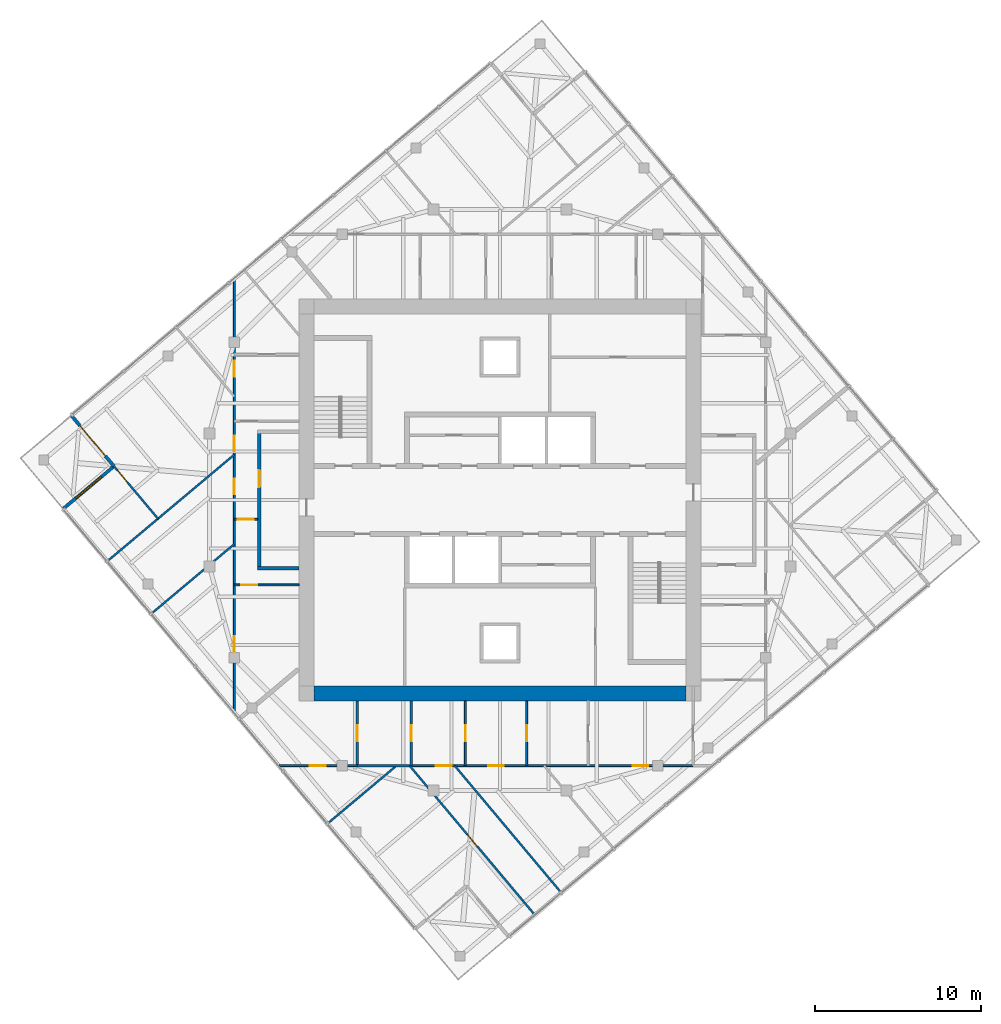
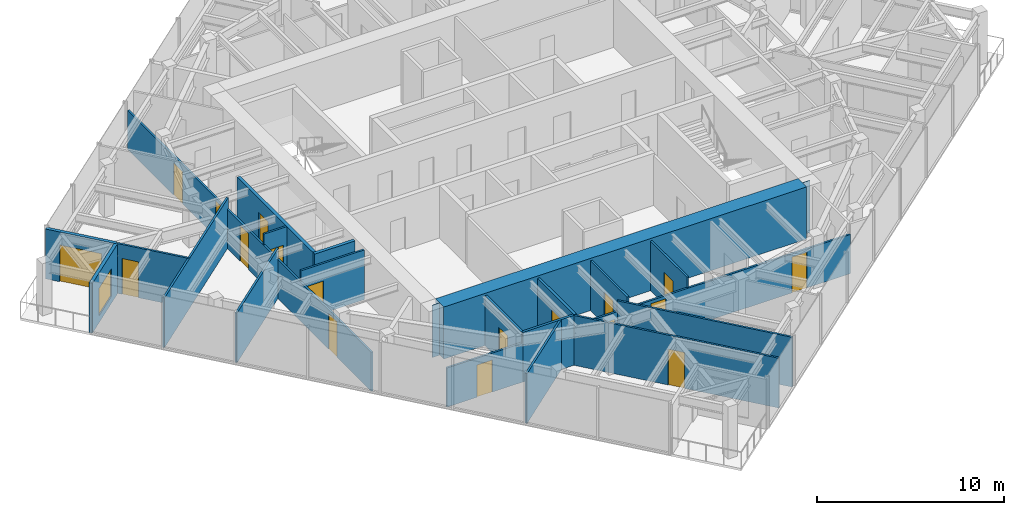
# One storey, part 7 of 12: 21 walls, 18 doors, 1 window, 19 openings.
"""IFC4 building model written with IfcOpenShell, lengths in metres."""

from ifc_helpers import new_model, si_unit, direction, frame, frame_2d, origin, place, context, subcontext, project, spatial, polyline, rectangle, outline, extrude, material, layer, layer_set, type_object, element, fill, save


model = new_model("IFC4")

# Units and contexts
model_context = context("Model", 3, precision=1e-05, world=origin(), true_north=direction((0.0, 1.0)))
body_context = subcontext(model_context, "Body", "Model", "MODEL_VIEW")
ifc_project = project(units=[si_unit("LENGTHUNIT", "METRE"), si_unit("AREAUNIT", "SQUARE_METRE"), si_unit("VOLUMEUNIT", "CUBIC_METRE"), si_unit("PLANEANGLEUNIT", "RADIAN"), si_unit("MASSUNIT", "GRAM", prefix="KILO")], contexts=[model_context])

# Site, building, storey
site_placement = place(None, origin())
site = spatial("IfcSite", under=ifc_project, at=site_placement, CompositionType="ELEMENT")
building_placement = place(site_placement, origin())
building = spatial("IfcBuilding", under=site, at=building_placement, Name="Torsade Residences", CompositionType="ELEMENT")
storey_placement = place(building_placement, frame((0.0, 0.0, 282.800048828125)))
storey = spatial("IfcBuildingStorey", under=building, at=storey_placement, Name="L78", CompositionType="ELEMENT", Elevation=282.800048828125)

# Wall
ifc_material_1 = material(Name="Concrete 80 MPa", Category="concrete")
ifc_layer_1 = layer(ifc_material_1, 0.89990234375)
ifc_layer_set_1 = layer_set([ifc_layer_1], Name="Concrete 80 MPa")
wall_type_1 = type_object("IfcWallType", Name="CORE WALL 900", PredefinedType="SHEAR", material=ifc_layer_set_1)
wall_1_placement = place(storey_placement, frame((51.199951171875, 18.35009765625, 0.0), z_axis=(0.0, 0.0, 1.0), x_axis=(-1.0, 0.0, 0.0)))
element("IfcWall", 1, at=wall_1_placement, inside=storey, type_object=wall_type_1, Name="Core wall S L78", PredefinedType="SHEAR", context=body_context, shape_type="SweptSolid", body=[
    extrude(outline(polyline([(0.0, -0.449951171875), (22.39990234375, -0.449951171875), (22.39990234375, -0.02490234375), (22.849853515625, -0.02490234375), (22.849853515625, 0.02490234375), (22.39990234375, 0.02490234375), (22.39990234375, 0.449951171875), (0.0, 0.449951171875), (0.0, 0.02490234375), (-0.449951171875, 0.02490234375), (-0.449951171875, -0.02490234375), (0.0, -0.02490234375), (0.0, -0.449951171875)])), origin(), (0.0, 0.0, 1.0), 3.39990234375),
])

# Wall, opening, door
ifc_material_2 = material(Name="Plasterboard on steel stud", Category="steel")
ifc_layer_2 = layer(ifc_material_2, 0.199951171875)
ifc_layer_set_2 = layer_set([ifc_layer_2], Name="Plasterboard on steel stud")
wall_type_2 = type_object("IfcWallType", Name="CORRIDOR WALL 200", PredefinedType="PARTITIONING", material=ifc_layer_set_2)
wall_2_placement = place(storey_placement, frame((25.5, 25.89990234375, 0.0), z_axis=(0.0, 0.0, 1.0), x_axis=(0.0, 1.0, 0.0)))
wall_2 = element("IfcWall", 2, at=wall_2_placement, inside=storey, type_object=wall_type_2, Name="Corridor wall L78", PredefinedType="PARTITIONING", context=body_context, shape_type="SweptSolid", body=[
    extrude(rectangle(XDim=8.2001953125, YDim=0.199951171875, at=frame_2d((4.10009765625, 0.0))), origin(), (0.0, 0.0, 1.0), 3.25),
])
opening_1_placement = place(wall_2_placement, frame((4.88232421875, 0.0, 0.0)))
opening_1 = element("IfcOpeningElement", 3, at=opening_1_placement, cuts=wall_2, Name="Opening D01", PredefinedType="OPENING", context=body_context, shape_type="SweptSolid", body=[
    extrude(rectangle(XDim=1.02001953125, YDim=2.340087890625, at=frame_2d((0.510009765625, 1.169921875))), frame((0.0, 0.10986328125, 0.0), z_axis=(0.0, -1.0, 0.0), x_axis=(1.0, 0.0, 0.0)), (0.0, 0.0, 1.0), 0.219970703125),
])
ifc_material_3 = material(Name="Solid-core timber fire door", Category="wood")
door_type_1 = type_object("IfcDoorType", Name="APARTMENT ENTRY DOOR 1020x2340", OperationType="NOTDEFINED", PredefinedType="DOOR", material=ifc_material_3)
door_1_placement = place(opening_1_placement, origin())
door_1 = element("IfcDoor", 4, at=door_1_placement, inside=storey, type_object=door_type_1, Name="Door Residential corridor to Kitchen and dining", OperationType="SINGLE_SWING_LEFT", OverallHeight=2.340087890625, OverallWidth=1.02001953125, PredefinedType="DOOR", context=body_context, shape_type="SweptSolid", body=[
    extrude(rectangle(XDim=1.02001953125, YDim=2.340087890625, at=frame_2d((0.510009765625, 1.169921875))), frame((0.0, 0.02490234375, 0.0), z_axis=(0.0, -1.0, 0.0), x_axis=(1.0, 0.0, 0.0)), (0.0, 0.0, 1.0), 0.050048828125),
])
fill(opening_1, door_1)

# Wall
wall_3_placement = place(storey_placement, frame((27.89990234375, 25.89990234375, 0.0), z_axis=(0.0, 0.0, 1.0), x_axis=(-1.0, 0.0, 0.0)))
element("IfcWall", 5, at=wall_3_placement, inside=storey, type_object=wall_type_2, Name="Corridor wall L78", PredefinedType="PARTITIONING", context=body_context, shape_type="SweptSolid", body=[
    extrude(rectangle(XDim=2.5, YDim=0.199951171875, at=frame_2d((1.25, 0.0))), origin(), (0.0, 0.0, 1.0), 3.25),
])

# Wall, opening, door
ifc_material_4 = material(Name="Plasterboard on steel stud", Category="steel")
ifc_layer_3 = layer(ifc_material_4, 0.1201171875)
ifc_layer_set_3 = layer_set([ifc_layer_3], Name="Plasterboard on steel stud")
wall_type_3 = type_object("IfcWallType", Name="PARTITION 120", PredefinedType="PARTITIONING", material=ifc_layer_set_3)
wall_4_placement = place(storey_placement, frame((31.410400390625, 14.0, 0.0), z_axis=(0.0, 0.0, 1.0), x_axis=(-1.0, 0.0, 0.0)))
wall_4 = element("IfcWall", 6, at=wall_4_placement, inside=storey, type_object=wall_type_3, Name="Partition L78", PredefinedType="PARTITIONING", context=body_context, shape_type="SweptSolid", body=[
    extrude(rectangle(XDim=4.693359375, YDim=0.1201171875, at=frame_2d((2.3466796875, 0.0))), origin(), (0.0, 0.0, 1.0), 2.549072265625),
])
opening_2_placement = place(wall_4_placement, frame((1.892822265625, 0.0, 0.0)))
opening_2 = element("IfcOpeningElement", 7, at=opening_2_placement, cuts=wall_4, Name="Opening D05", PredefinedType="OPENING", context=body_context, shape_type="SweptSolid", body=[
    extrude(rectangle(XDim=0.9599609375, YDim=2.10009765625, at=frame_2d((0.47998046875, 1.050048828125))), frame((0.0, 0.070068359375, 0.0), z_axis=(0.0, -1.0, 0.0), x_axis=(1.0, 0.0, 0.0)), (0.0, 0.0, 1.0), 0.14013671875),
])
ifc_material_5 = material(Name="Hollow-core timber door in a steel cavity frame", Category="steel")
door_type_2 = type_object("IfcDoorType", Name="BATHROOM CAVITY SLIDING DOOR 960", OperationType="SLIDING_TO_LEFT", PredefinedType="DOOR", material=ifc_material_5)
door_2_placement = place(opening_2_placement, origin())
door_2 = element("IfcDoor", 8, at=door_2_placement, inside=storey, type_object=door_type_2, Name="Door Bathroom to Media room", OperationType="SLIDING_TO_LEFT", OverallHeight=2.10009765625, OverallWidth=0.9599609375, PredefinedType="DOOR", context=body_context, shape_type="SweptSolid", body=[
    extrude(rectangle(XDim=0.9599609375, YDim=2.10009765625, at=frame_2d((0.47998046875, 1.050048828125))), frame((0.0, 0.02490234375, 0.0), z_axis=(0.0, -1.0, 0.0), x_axis=(1.0, 0.0, 0.0)), (0.0, 0.0, 1.0), 0.050048828125),
])
fill(opening_2, door_2)

wall_5_placement = place(storey_placement, frame((37.9189453125, 17.89990234375, 0.0), z_axis=(0.0, 0.0, 1.0), x_axis=(0.0, -1.0, 0.0)))
wall_5 = element("IfcWall", 9, at=wall_5_placement, inside=storey, type_object=wall_type_3, Name="Partition L78", PredefinedType="PARTITIONING", context=body_context, shape_type="SweptSolid", body=[
    extrude(rectangle(XDim=3.89990234375, YDim=0.1201171875, at=frame_2d((1.949951171875, 0.0))), origin(), (0.0, 0.0, 1.0), 3.25),
])
opening_3_placement = place(wall_5_placement, frame((1.469970703125, 0.0, 0.0)))
opening_3 = element("IfcOpeningElement", 10, at=opening_3_placement, cuts=wall_5, Name="Opening D05", PredefinedType="OPENING", context=body_context, shape_type="SweptSolid", body=[
    extrude(rectangle(XDim=0.9599609375, YDim=2.10009765625, at=frame_2d((0.47998046875, 1.050048828125))), frame((0.0, 0.070068359375, 0.0), z_axis=(0.0, -1.0, 0.0), x_axis=(1.0, 0.0, 0.0)), (0.0, 0.0, 1.0), 0.14013671875),
])
door_3_placement = place(opening_3_placement, origin())
door_3 = element("IfcDoor", 11, at=door_3_placement, inside=storey, type_object=door_type_2, Name="Door Dressing room 2 to WC", OperationType="SLIDING_TO_LEFT", OverallHeight=2.10009765625, OverallWidth=0.9599609375, PredefinedType="DOOR", context=body_context, shape_type="SweptSolid", body=[
    extrude(rectangle(XDim=0.9599609375, YDim=2.10009765625, at=frame_2d((0.47998046875, 1.050048828125))), frame((0.0, 0.02490234375, 0.0), z_axis=(0.0, -1.0, 0.0), x_axis=(1.0, 0.0, 0.0)), (0.0, 0.0, 1.0), 0.050048828125),
])
fill(opening_3, door_3)

# Wall, openings, doors
wall_6_placement = place(storey_placement, frame((51.624755859375, 14.0, 0.0), z_axis=(0.0, 0.0, 1.0), x_axis=(-1.0, 0.0, 0.0)))
wall_6 = element("IfcWall", 12, at=wall_6_placement, inside=storey, type_object=wall_type_3, Name="Partition L78", PredefinedType="PARTITIONING", context=body_context, shape_type="SweptSolid", body=[
    extrude(rectangle(XDim=17.06689453125, YDim=0.1201171875, at=frame_2d((8.533447265625, 0.0))), origin(), (0.0, 0.0, 1.0), 2.549072265625),
])
opening_4_placement = place(wall_6_placement, frame((2.701904296875, 0.0, 0.0)))
opening_4 = element("IfcOpeningElement", 13, at=opening_4_placement, cuts=wall_6, Name="Opening D02", PredefinedType="OPENING", context=body_context, shape_type="SweptSolid", body=[
    extrude(rectangle(XDim=0.919921875, YDim=2.340087890625, at=frame_2d((0.4599609375, 1.169921875))), frame((0.0, 0.070068359375, 0.0), z_axis=(0.0, -1.0, 0.0), x_axis=(1.0, 0.0, 0.0)), (0.0, 0.0, 1.0), 0.14013671875),
])
opening_5_placement = place(wall_6_placement, frame((11.400146484375, 0.0, 0.0)))
opening_5 = element("IfcOpeningElement", 14, at=opening_5_placement, cuts=wall_6, Name="Opening D02", PredefinedType="OPENING", context=body_context, shape_type="SweptSolid", body=[
    extrude(rectangle(XDim=0.919921875, YDim=2.340087890625, at=frame_2d((0.4599609375, 1.169921875))), frame((0.0, 0.070068359375, 0.0), z_axis=(0.0, -1.0, 0.0), x_axis=(1.0, 0.0, 0.0)), (0.0, 0.0, 1.0), 0.14013671875),
])
opening_6_placement = place(wall_6_placement, frame((14.544189453125, 0.0, 0.0)))
opening_6 = element("IfcOpeningElement", 15, at=opening_6_placement, cuts=wall_6, Name="Opening D05", PredefinedType="OPENING", context=body_context, shape_type="SweptSolid", body=[
    extrude(rectangle(XDim=0.9599609375, YDim=2.10009765625, at=frame_2d((0.47998046875, 1.050048828125))), frame((0.0, 0.070068359375, 0.0), z_axis=(0.0, -1.0, 0.0), x_axis=(1.0, 0.0, 0.0)), (0.0, 0.0, 1.0), 0.14013671875),
])
door_4_placement = place(opening_6_placement, origin())
door_4 = element("IfcDoor", 16, at=door_4_placement, inside=storey, type_object=door_type_2, Name="Door WC to Walk-in robe 2", OperationType="SLIDING_TO_LEFT", OverallHeight=2.10009765625, OverallWidth=0.9599609375, PredefinedType="DOOR", context=body_context, shape_type="SweptSolid", body=[
    extrude(rectangle(XDim=0.9599609375, YDim=2.10009765625, at=frame_2d((0.47998046875, 1.050048828125))), frame((0.0, 0.02490234375, 0.0), z_axis=(0.0, -1.0, 0.0), x_axis=(1.0, 0.0, 0.0)), (0.0, 0.0, 1.0), 0.050048828125),
])
fill(opening_6, door_4)
ifc_material_6 = material(Name="Hollow-core timber door", Category="wood")
door_type_3 = type_object("IfcDoorType", Name="INTERNAL DOOR 920x2340", OperationType="NOTDEFINED", PredefinedType="DOOR", material=ifc_material_6)
door_5_placement = place(opening_4_placement, origin())
door_5 = element("IfcDoor", 17, at=door_5_placement, inside=storey, type_object=door_type_3, Name="Door Walk-in robe to Bedroom 5", OperationType="SINGLE_SWING_LEFT", OverallHeight=2.340087890625, OverallWidth=0.919921875, PredefinedType="DOOR", context=body_context, shape_type="SweptSolid", body=[
    extrude(rectangle(XDim=0.919921875, YDim=2.340087890625, at=frame_2d((0.4599609375, 1.169921875))), frame((0.0, 0.02490234375, 0.0), z_axis=(0.0, -1.0, 0.0), x_axis=(1.0, 0.0, 0.0)), (0.0, 0.0, 1.0), 0.050048828125),
])
fill(opening_4, door_5)
door_6_placement = place(opening_5_placement, origin())
door_6 = element("IfcDoor", 18, at=door_6_placement, inside=storey, type_object=door_type_3, Name="Door Dressing room 2 to Bedroom 1", OperationType="SINGLE_SWING_RIGHT", OverallHeight=2.340087890625, OverallWidth=0.919921875, PredefinedType="DOOR", context=body_context, shape_type="SweptSolid", body=[
    extrude(rectangle(XDim=0.919921875, YDim=2.340087890625, at=frame_2d((0.4599609375, 1.169921875))), frame((0.0, 0.02490234375, 0.0), z_axis=(0.0, -1.0, 0.0), x_axis=(1.0, 0.0, 0.0)), (0.0, 0.0, 1.0), 0.050048828125),
])
fill(opening_5, door_6)

# Wall, opening, door
wall_7_placement = place(storey_placement, frame((41.610107421875, 14.0, 0.0), z_axis=(0.0, 0.0, 1.0), x_axis=(0.0, 1.0, 0.0)))
wall_7 = element("IfcWall", 19, at=wall_7_placement, inside=storey, type_object=wall_type_3, Name="Partition L78", PredefinedType="PARTITIONING", context=body_context, shape_type="SweptSolid", body=[
    extrude(rectangle(XDim=3.89990234375, YDim=0.1201171875, at=frame_2d((1.949951171875, 0.0))), origin(), (0.0, 0.0, 1.0), 3.25),
])
opening_7_placement = place(wall_7_placement, frame((1.469970703125, 0.0, 0.0)))
opening_7 = element("IfcOpeningElement", 20, at=opening_7_placement, cuts=wall_7, Name="Opening D05", PredefinedType="OPENING", context=body_context, shape_type="SweptSolid", body=[
    extrude(rectangle(XDim=0.9599609375, YDim=2.10009765625, at=frame_2d((0.47998046875, 1.050048828125))), frame((0.0, 0.070068359375, 0.0), z_axis=(0.0, -1.0, 0.0), x_axis=(1.0, 0.0, 0.0)), (0.0, 0.0, 1.0), 0.14013671875),
])
door_7_placement = place(opening_7_placement, origin())
door_7 = element("IfcDoor", 21, at=door_7_placement, inside=storey, type_object=door_type_2, Name="Door Ensuite to Dressing room 2", OperationType="SLIDING_TO_LEFT", OverallHeight=2.10009765625, OverallWidth=0.9599609375, PredefinedType="DOOR", context=body_context, shape_type="SweptSolid", body=[
    extrude(rectangle(XDim=0.9599609375, YDim=2.10009765625, at=frame_2d((0.47998046875, 1.050048828125))), frame((0.0, 0.02490234375, 0.0), z_axis=(0.0, -1.0, 0.0), x_axis=(1.0, 0.0, 0.0)), (0.0, 0.0, 1.0), 0.050048828125),
])
fill(opening_7, door_7)

wall_8_placement = place(storey_placement, frame((34.557861328125, 14.0, 0.0), z_axis=(0.0, 0.0, 1.0), x_axis=(0.642782931909, -0.766048368216, 0.0)))
wall_8 = element("IfcWall", 22, at=wall_8_placement, inside=storey, type_object=wall_type_3, Name="Partition L78", PredefinedType="PARTITIONING", context=body_context, shape_type="SweptSolid", body=[
    extrude(rectangle(XDim=11.701416015625, YDim=0.1201171875, at=frame_2d((5.8505859375, 0.0))), origin(), (0.0, 0.0, 1.0), 3.25),
])
opening_8_placement = place(wall_8_placement, frame((5.41064453125, 0.0, 0.0)))
opening_8 = element("IfcOpeningElement", 23, at=opening_8_placement, cuts=wall_8, Name="Opening D02", PredefinedType="OPENING", context=body_context, shape_type="SweptSolid", body=[
    extrude(rectangle(XDim=0.919921875, YDim=2.340087890625, at=frame_2d((0.4599609375, 1.169921875))), frame((0.0, 0.070068359375, 0.0), z_axis=(0.0, -1.0, 0.0), x_axis=(1.0, 0.0, 0.0)), (0.0, 0.0, 1.0), 0.14013671875),
])
door_8_placement = place(opening_8_placement, origin())
door_8 = element("IfcDoor", 24, at=door_8_placement, inside=storey, type_object=door_type_3, Name="Door Walk-in robe 2 to Living room", OperationType="SINGLE_SWING_LEFT", OverallHeight=2.340087890625, OverallWidth=0.919921875, PredefinedType="DOOR", context=body_context, shape_type="SweptSolid", body=[
    extrude(rectangle(XDim=0.919921875, YDim=2.340087890625, at=frame_2d((0.4599609375, 1.169921875))), frame((0.0, 0.02490234375, 0.0), z_axis=(0.0, -1.0, 0.0), x_axis=(1.0, 0.0, 0.0)), (0.0, 0.0, 1.0), 0.050048828125),
])
fill(opening_8, door_8)

# Walls
wall_9_placement = place(storey_placement, frame((29.629638671875, 10.528564453125, 0.0), z_axis=(0.0, 0.0, 1.0), x_axis=(0.766034275706, 0.642799726543, 0.0)))
element("IfcWall", 25, at=wall_9_placement, inside=storey, type_object=wall_type_3, Name="Partition L78", PredefinedType="PARTITIONING", context=body_context, shape_type="SweptSolid", body=[
    extrude(rectangle(XDim=5.400390625, YDim=0.1201171875, at=frame_2d((2.7001953125, 0.0))), origin(), (0.0, 0.0, 1.0), 3.25),
])
wall_10_placement = place(storey_placement, frame((43.671630859375, 6.372314453125, 0.0), z_axis=(0.0, 0.0, 1.0), x_axis=(-0.64278775678, 0.766044319693, 0.0)))
element("IfcWall", 26, at=wall_10_placement, inside=storey, type_object=wall_type_3, Name="Partition L78", PredefinedType="PARTITIONING", context=body_context, shape_type="SweptSolid", body=[
    extrude(rectangle(XDim=9.957275390625, YDim=0.1201171875, at=frame_2d((4.978515625, 0.0))), origin(), (0.0, 0.0, 1.0), 3.25),
])

# Wall, opening, door
wall_11_placement = place(storey_placement, frame((25.39990234375, 28.83447265625, 0.0), z_axis=(0.0, 0.0, 1.0), x_axis=(-1.0, 0.0, 0.0)))
wall_11 = element("IfcWall", 27, at=wall_11_placement, inside=storey, type_object=wall_type_3, Name="Partition L78", PredefinedType="PARTITIONING", context=body_context, shape_type="SweptSolid", body=[
    extrude(rectangle(XDim=1.39990234375, YDim=0.1201171875, at=frame_2d((0.699951171875, 0.0))), origin(), (0.0, 0.0, 1.0), 3.25),
])
opening_9_placement = place(wall_11_placement, frame((0.219970703125, 0.0, 0.0)))
opening_9 = element("IfcOpeningElement", 28, at=opening_9_placement, cuts=wall_11, Name="Opening D05", PredefinedType="OPENING", context=body_context, shape_type="SweptSolid", body=[
    extrude(rectangle(XDim=0.9599609375, YDim=2.10009765625, at=frame_2d((0.47998046875, 1.050048828125))), frame((0.0, 0.070068359375, 0.0), z_axis=(0.0, -1.0, 0.0), x_axis=(1.0, 0.0, 0.0)), (0.0, 0.0, 1.0), 0.14013671875),
])
door_9_placement = place(opening_9_placement, origin())
door_9 = element("IfcDoor", 29, at=door_9_placement, inside=storey, type_object=door_type_2, Name="Door Kitchen and dining to Bathroom", OperationType="SLIDING_TO_LEFT", OverallHeight=2.10009765625, OverallWidth=0.9599609375, PredefinedType="DOOR", context=body_context, shape_type="SweptSolid", body=[
    extrude(rectangle(XDim=0.9599609375, YDim=2.10009765625, at=frame_2d((0.47998046875, 1.050048828125))), frame((0.0, 0.02490234375, 0.0), z_axis=(0.0, -1.0, 0.0), x_axis=(1.0, 0.0, 0.0)), (0.0, 0.0, 1.0), 0.050048828125),
])
fill(opening_9, door_9)

# Wall, openings, doors
wall_12_placement = place(storey_placement, frame((24.0, 17.238037109375, 0.0), z_axis=(0.0, 0.0, 1.0), x_axis=(0.0, 1.0, 0.0)))
wall_12 = element("IfcWall", 30, at=wall_12_placement, inside=storey, type_object=wall_type_3, Name="Partition L78", PredefinedType="PARTITIONING", context=body_context, shape_type="SweptSolid", body=[
    extrude(rectangle(XDim=26.044921875, YDim=0.1201171875, at=frame_2d((13.0224609375, 0.0))), origin(), (0.0, 0.0, 1.0), 2.549072265625),
])
opening_10_placement = place(wall_12_placement, frame((13.116455078125, 0.0, 0.0)))
opening_10 = element("IfcOpeningElement", 31, at=opening_10_placement, cuts=wall_12, Name="Opening D02", PredefinedType="OPENING", context=body_context, shape_type="SweptSolid", body=[
    extrude(rectangle(XDim=0.919921875, YDim=2.340087890625, at=frame_2d((0.4599609375, 1.169921875))), frame((0.0, 0.070068359375, 0.0), z_axis=(0.0, -1.0, 0.0), x_axis=(1.0, 0.0, 0.0)), (0.0, 0.0, 1.0), 0.14013671875),
])
opening_11_placement = place(wall_12_placement, frame((15.705078125, 0.0, 0.0)))
opening_11 = element("IfcOpeningElement", 32, at=opening_11_placement, cuts=wall_12, Name="Opening D02", PredefinedType="OPENING", context=body_context, shape_type="SweptSolid", body=[
    extrude(rectangle(XDim=0.919921875, YDim=2.340087890625, at=frame_2d((0.4599609375, 1.169921875))), frame((0.0, 0.070068359375, 0.0), z_axis=(0.0, -1.0, 0.0), x_axis=(1.0, 0.0, 0.0)), (0.0, 0.0, 1.0), 0.14013671875),
])
opening_12_placement = place(wall_12_placement, frame((20.19091796875, 0.0, 0.0)))
opening_12 = element("IfcOpeningElement", 33, at=opening_12_placement, cuts=wall_12, Name="Opening D05", PredefinedType="OPENING", context=body_context, shape_type="SweptSolid", body=[
    extrude(rectangle(XDim=0.9599609375, YDim=2.10009765625, at=frame_2d((0.47998046875, 1.050048828125))), frame((0.0, 0.070068359375, 0.0), z_axis=(0.0, -1.0, 0.0), x_axis=(1.0, 0.0, 0.0)), (0.0, 0.0, 1.0), 0.14013671875),
])
opening_13_placement = place(wall_12_placement, frame((3.63134765625, 0.0, 0.0)))
opening_13 = element("IfcOpeningElement", 34, at=opening_13_placement, cuts=wall_12, Name="Opening D02", PredefinedType="OPENING", context=body_context, shape_type="SweptSolid", body=[
    extrude(rectangle(XDim=0.919921875, YDim=2.340087890625, at=frame_2d((0.4599609375, 1.169921875))), frame((0.0, 0.070068359375, 0.0), z_axis=(0.0, -1.0, 0.0), x_axis=(1.0, 0.0, 0.0)), (0.0, 0.0, 1.0), 0.14013671875),
])
door_10_placement = place(opening_12_placement, origin())
door_10 = element("IfcDoor", 35, at=door_10_placement, inside=storey, type_object=door_type_2, Name="Door Laundry to Bedroom 4", OperationType="SLIDING_TO_LEFT", OverallHeight=2.10009765625, OverallWidth=0.9599609375, PredefinedType="DOOR", context=body_context, shape_type="SweptSolid", body=[
    extrude(rectangle(XDim=0.9599609375, YDim=2.10009765625, at=frame_2d((0.47998046875, 1.050048828125))), frame((0.0, 0.02490234375, 0.0), z_axis=(0.0, -1.0, 0.0), x_axis=(1.0, 0.0, 0.0)), (0.0, 0.0, 1.0), 0.050048828125),
])
fill(opening_12, door_10)
door_11_placement = place(opening_10_placement, origin())
door_11 = element("IfcDoor", 36, at=door_11_placement, inside=storey, type_object=door_type_3, Name="Door Kitchen and dining to Bedroom 1", OperationType="SINGLE_SWING_RIGHT", OverallHeight=2.340087890625, OverallWidth=0.919921875, PredefinedType="DOOR", context=body_context, shape_type="SweptSolid", body=[
    extrude(rectangle(XDim=0.919921875, YDim=2.340087890625, at=frame_2d((0.4599609375, 1.169921875))), frame((0.0, 0.02490234375, 0.0), z_axis=(0.0, -1.0, 0.0), x_axis=(1.0, 0.0, 0.0)), (0.0, 0.0, 1.0), 0.050048828125),
])
fill(opening_10, door_11)
door_12_placement = place(opening_11_placement, origin())
door_12 = element("IfcDoor", 37, at=door_12_placement, inside=storey, type_object=door_type_3, Name="Door Kitchen and dining to Living room", OperationType="SINGLE_SWING_LEFT", OverallHeight=2.340087890625, OverallWidth=0.919921875, PredefinedType="DOOR", context=body_context, shape_type="SweptSolid", body=[
    extrude(rectangle(XDim=0.919921875, YDim=2.340087890625, at=frame_2d((0.4599609375, 1.169921875))), frame((0.0, 0.02490234375, 0.0), z_axis=(0.0, -1.0, 0.0), x_axis=(1.0, 0.0, 0.0)), (0.0, 0.0, 1.0), 0.050048828125),
])
fill(opening_11, door_12)
door_13_placement = place(opening_13_placement, origin())
door_13 = element("IfcDoor", 38, at=door_13_placement, inside=storey, type_object=door_type_3, Name="Door Study to Bedroom 2", OperationType="SINGLE_SWING_LEFT", OverallHeight=2.340087890625, OverallWidth=0.919921875, PredefinedType="DOOR", context=body_context, shape_type="SweptSolid", body=[
    extrude(rectangle(XDim=0.919921875, YDim=2.340087890625, at=frame_2d((0.4599609375, 1.169921875))), frame((0.0, 0.02490234375, 0.0), z_axis=(0.0, -1.0, 0.0), x_axis=(1.0, 0.0, 0.0)), (0.0, 0.0, 1.0), 0.050048828125),
])
fill(opening_13, door_13)

# Wall, opening, door
wall_13_placement = place(storey_placement, frame((27.89990234375, 24.8828125, 0.0), z_axis=(0.0, 0.0, 1.0), x_axis=(-1.0, 0.0, 0.0)))
wall_13 = element("IfcWall", 39, at=wall_13_placement, inside=storey, type_object=wall_type_3, Name="Partition L78", PredefinedType="PARTITIONING", context=body_context, shape_type="SweptSolid", body=[
    extrude(rectangle(XDim=3.89990234375, YDim=0.1201171875, at=frame_2d((1.949951171875, 0.0))), origin(), (0.0, 0.0, 1.0), 3.25),
])
opening_14_placement = place(wall_13_placement, frame((2.52001953125, 0.0, 0.0)))
opening_14 = element("IfcOpeningElement", 40, at=opening_14_placement, cuts=wall_13, Name="Opening D05", PredefinedType="OPENING", context=body_context, shape_type="SweptSolid", body=[
    extrude(rectangle(XDim=0.9599609375, YDim=2.10009765625, at=frame_2d((0.47998046875, 1.050048828125))), frame((0.0, 0.070068359375, 0.0), z_axis=(0.0, -1.0, 0.0), x_axis=(1.0, 0.0, 0.0)), (0.0, 0.0, 1.0), 0.14013671875),
])
door_14_placement = place(opening_14_placement, origin())
door_14 = element("IfcDoor", 41, at=door_14_placement, inside=storey, type_object=door_type_2, Name="Door Bathroom to Study", OperationType="SLIDING_TO_LEFT", OverallHeight=2.10009765625, OverallWidth=0.9599609375, PredefinedType="DOOR", context=body_context, shape_type="SweptSolid", body=[
    extrude(rectangle(XDim=0.9599609375, YDim=2.10009765625, at=frame_2d((0.47998046875, 1.050048828125))), frame((0.0, 0.02490234375, 0.0), z_axis=(0.0, -1.0, 0.0), x_axis=(1.0, 0.0, 0.0)), (0.0, 0.0, 1.0), 0.050048828125),
])
fill(opening_14, door_14)

# Wall
wall_14_placement = place(storey_placement, frame((24.0, 32.728759765625, 0.0), z_axis=(0.0, 0.0, 1.0), x_axis=(-0.766044319693, -0.64278775678, 0.0)))
element("IfcWall", 42, at=wall_14_placement, inside=storey, type_object=wall_type_3, Name="Partition L78", PredefinedType="PARTITIONING", context=body_context, shape_type="SweptSolid", body=[
    extrude(rectangle(XDim=9.957275390625, YDim=0.1201171875, at=frame_2d((4.978515625, 0.0))), origin(), (0.0, 0.0, 1.0), 3.25),
])

# Wall, opening, door
wall_15_placement = place(storey_placement, frame((19.40576171875, 28.873779296875, 0.0), z_axis=(0.0, 0.0, 1.0), x_axis=(-0.642767300664, 0.766061483953, 0.0)))
wall_15 = element("IfcWall", 43, at=wall_15_placement, inside=storey, type_object=wall_type_3, Name="Partition L78", PredefinedType="PARTITIONING", context=body_context, shape_type="SweptSolid", body=[
    extrude(rectangle(XDim=4.0849609375, YDim=0.1201171875, at=frame_2d((2.04248046875, 0.0))), origin(), (0.0, 0.0, 1.0), 3.25),
])
opening_15_placement = place(wall_15_placement, frame((2.8525390625, 0.0, 0.0)))
opening_15 = element("IfcOpeningElement", 44, at=opening_15_placement, cuts=wall_15, Name="Opening D02", PredefinedType="OPENING", context=body_context, shape_type="SweptSolid", body=[
    extrude(rectangle(XDim=0.919921875, YDim=2.340087890625, at=frame_2d((0.4599609375, 1.169921875))), frame((0.0, 0.070068359375, 0.0), z_axis=(0.0, -1.0, 0.0), x_axis=(1.0, 0.0, 0.0)), (0.0, 0.0, 1.0), 0.14013671875),
])
door_15_placement = place(opening_15_placement, origin())
door_15 = element("IfcDoor", 45, at=door_15_placement, inside=storey, type_object=door_type_3, Name="Door Living room to Bedroom 3", OperationType="SINGLE_SWING_LEFT", OverallHeight=2.340087890625, OverallWidth=0.919921875, PredefinedType="DOOR", context=body_context, shape_type="SweptSolid", body=[
    extrude(rectangle(XDim=0.919921875, YDim=2.340087890625, at=frame_2d((0.4599609375, 1.169921875))), frame((0.0, 0.02490234375, 0.0), z_axis=(0.0, -1.0, 0.0), x_axis=(1.0, 0.0, 0.0)), (0.0, 0.0, 1.0), 0.050048828125),
])
fill(opening_15, door_15)

# Wall
wall_16_placement = place(storey_placement, frame((24.0, 27.343994140625, 0.0), z_axis=(0.0, 0.0, 1.0), x_axis=(-0.766051249233, -0.642779498388, 0.0)))
element("IfcWall", 46, at=wall_16_placement, inside=storey, type_object=wall_type_3, Name="Partition L78", PredefinedType="PARTITIONING", context=body_context, shape_type="SweptSolid", body=[
    extrude(rectangle(XDim=6.49609375, YDim=0.1201171875, at=frame_2d((3.248046875, 0.0))), origin(), (0.0, 0.0, 1.0), 3.25),
])

# Wall, opening, door
ifc_material_7 = material(Name="Reinforced blockwork", Category="masonry")
ifc_layer_4 = layer(ifc_material_7, 0.14990234375)
ifc_layer_set_4 = layer_set([ifc_layer_4], Name="Reinforced blockwork")
wall_type_4 = type_object("IfcWallType", Name="SERVICE ROOM WALL 150", PredefinedType="SOLIDWALL", material=ifc_layer_set_4)
wall_17_placement = place(storey_placement, frame((31.410400390625, 17.89990234375, 0.0), z_axis=(0.0, 0.0, 1.0), x_axis=(0.0, -1.0, 0.0)))
wall_17 = element("IfcWall", 47, at=wall_17_placement, inside=storey, type_object=wall_type_4, Name="Service room wall L78", PredefinedType="SOLIDWALL", context=body_context, shape_type="SweptSolid", body=[
    extrude(rectangle(XDim=3.89990234375, YDim=0.14990234375, at=frame_2d((1.949951171875, 0.0))), origin(), (0.0, 0.0, 1.0), 3.25),
])
opening_16_placement = place(wall_17_placement, frame((1.469970703125, 0.0, 0.0)))
opening_16 = element("IfcOpeningElement", 48, at=opening_16_placement, cuts=wall_17, Name="Opening D05", PredefinedType="OPENING", context=body_context, shape_type="SweptSolid", body=[
    extrude(rectangle(XDim=0.9599609375, YDim=2.10009765625, at=frame_2d((0.47998046875, 1.050048828125))), frame((0.0, 0.0849609375, 0.0), z_axis=(0.0, -1.0, 0.0), x_axis=(1.0, 0.0, 0.0)), (0.0, 0.0, 1.0), 0.169921875),
])
door_16_placement = place(opening_16_placement, origin())
door_16 = element("IfcDoor", 49, at=door_16_placement, inside=storey, type_object=door_type_2, Name="Door Linen store to Bathroom", OperationType="SLIDING_TO_LEFT", OverallHeight=2.10009765625, OverallWidth=0.9599609375, PredefinedType="DOOR", context=body_context, shape_type="SweptSolid", body=[
    extrude(rectangle(XDim=0.9599609375, YDim=2.10009765625, at=frame_2d((0.47998046875, 1.050048828125))), frame((0.0, 0.02490234375, 0.0), z_axis=(0.0, -1.0, 0.0), x_axis=(1.0, 0.0, 0.0)), (0.0, 0.0, 1.0), 0.050048828125),
])
fill(opening_16, door_16)

wall_18_placement = place(storey_placement, frame((34.664794921875, 14.0, 0.0), z_axis=(0.0, 0.0, 1.0), x_axis=(0.0, 1.0, 0.0)))
wall_18 = element("IfcWall", 50, at=wall_18_placement, inside=storey, type_object=wall_type_4, Name="Service room wall L78", PredefinedType="SOLIDWALL", context=body_context, shape_type="SweptSolid", body=[
    extrude(rectangle(XDim=3.89990234375, YDim=0.14990234375, at=frame_2d((1.949951171875, 0.0))), origin(), (0.0, 0.0, 1.0), 3.25),
])
opening_17_placement = place(wall_18_placement, frame((1.469970703125, 0.0, 0.0)))
opening_17 = element("IfcOpeningElement", 51, at=opening_17_placement, cuts=wall_18, Name="Opening D05", PredefinedType="OPENING", context=body_context, shape_type="SweptSolid", body=[
    extrude(rectangle(XDim=0.9599609375, YDim=2.10009765625, at=frame_2d((0.47998046875, 1.050048828125))), frame((0.0, 0.0849609375, 0.0), z_axis=(0.0, -1.0, 0.0), x_axis=(1.0, 0.0, 0.0)), (0.0, 0.0, 1.0), 0.169921875),
])
door_17_placement = place(opening_17_placement, origin())
door_17 = element("IfcDoor", 52, at=door_17_placement, inside=storey, type_object=door_type_2, Name="Door WC to Linen store", OperationType="SLIDING_TO_LEFT", OverallHeight=2.10009765625, OverallWidth=0.9599609375, PredefinedType="DOOR", context=body_context, shape_type="SweptSolid", body=[
    extrude(rectangle(XDim=0.9599609375, YDim=2.10009765625, at=frame_2d((0.47998046875, 1.050048828125))), frame((0.0, 0.02490234375, 0.0), z_axis=(0.0, -1.0, 0.0), x_axis=(1.0, 0.0, 0.0)), (0.0, 0.0, 1.0), 0.050048828125),
])
fill(opening_17, door_17)

# Wall
wall_19_placement = place(storey_placement, frame((34.557861328125, 14.0, 0.0), z_axis=(0.0, 0.0, 1.0), x_axis=(-1.0, 0.0, 0.0)))
element("IfcWall", 53, at=wall_19_placement, inside=storey, type_object=wall_type_4, Name="Service room wall L78", PredefinedType="SOLIDWALL", context=body_context, shape_type="SweptSolid", body=[
    extrude(rectangle(XDim=3.1474609375, YDim=0.14990234375, at=frame_2d((1.57373046875, 0.0))), origin(), (0.0, 0.0, 1.0), 3.25),
])

# Wall, opening, door
ifc_material_8 = material(Name="Stone-faced precast concrete 40 MPa panel", Category="masonry")
ifc_layer_5 = layer(ifc_material_8, 0.199951171875)
ifc_layer_set_5 = layer_set([ifc_layer_5], Name="Stone-faced precast concrete 40 MPa panel")
wall_type_5 = type_object("IfcWallType", Name="TERRACE WALL 200", PredefinedType="SOLIDWALL", material=ifc_layer_set_5)
wall_20_placement = place(storey_placement, frame((14.18310546875, 35.097900390625, 0.0), z_axis=(0.0, 0.0, 1.0), x_axis=(0.642768287094, -0.766060656284, 0.0)))
wall_20 = element("IfcWall", 54, at=wall_20_placement, inside=storey, type_object=wall_type_5, Name="Terrace wall L78 8", PredefinedType="SOLIDWALL", context=body_context, shape_type="SweptSolid", body=[
    extrude(rectangle(XDim=4.0, YDim=0.199951171875, at=frame_2d((2.0, 0.0))), origin(), (0.0, 0.0, 1.0), 3.25),
])
opening_18_placement = place(wall_20_placement, frame((0.800048828125, 0.0, 0.0)))
opening_18 = element("IfcOpeningElement", 55, at=opening_18_placement, cuts=wall_20, Name="Opening D10", PredefinedType="OPENING", context=body_context, shape_type="SweptSolid", body=[
    extrude(rectangle(XDim=2.39990234375, YDim=2.39990234375, at=frame_2d((1.199951171875, 1.199951171875))), frame((0.0, 0.10986328125, 0.0), z_axis=(0.0, -1.0, 0.0), x_axis=(1.0, 0.0, 0.0)), (0.0, 0.0, 1.0), 0.219970703125),
])
ifc_material_9 = material(Name="Aluminium-framed glass door", Category="aluminium")
door_type_4 = type_object("IfcDoorType", Name="TERRACE SLIDING DOOR 2400", OperationType="SLIDING_TO_LEFT", PredefinedType="DOOR", material=ifc_material_9)
door_18_placement = place(opening_18_placement, origin())
door_18 = element("IfcDoor", 56, at=door_18_placement, inside=storey, type_object=door_type_4, Name="Terrace door L78 8", OperationType="SLIDING_TO_LEFT", OverallHeight=2.39990234375, OverallWidth=2.39990234375, PredefinedType="DOOR", context=body_context, shape_type="SweptSolid", body=[
    extrude(rectangle(XDim=2.39990234375, YDim=2.39990234375, at=frame_2d((1.199951171875, 1.199951171875))), frame((0.0, 0.02490234375, 0.0), z_axis=(0.0, -1.0, 0.0), x_axis=(1.0, 0.0, 0.0)), (0.0, 0.0, 1.0), 0.050048828125),
])
fill(opening_18, door_18)

# Wall, opening, window
wall_21_placement = place(storey_placement, frame((16.754150390625, 32.03369140625, 0.0), z_axis=(0.0, 0.0, 1.0), x_axis=(-0.766035437498, -0.642798342015, 0.0)))
wall_21 = element("IfcWall", 57, at=wall_21_placement, inside=storey, type_object=wall_type_5, Name="Terrace wall L78 9", PredefinedType="SOLIDWALL", context=body_context, shape_type="SweptSolid", body=[
    extrude(rectangle(XDim=3.999755859375, YDim=0.199951171875, at=frame_2d((2.0, 0.0))), origin(), (0.0, 0.0, 1.0), 3.25),
])
opening_19_placement = place(wall_21_placement, frame((1.0, 0.0, 0.449951171875)))
opening_19 = element("IfcOpeningElement", 58, at=opening_19_placement, cuts=wall_21, Name="Opening W1B", PredefinedType="OPENING", context=body_context, shape_type="SweptSolid", body=[
    extrude(rectangle(XDim=2.0, YDim=1.800048828125, at=frame_2d((1.0, 0.89990234375))), frame((0.0, 0.10986328125, 0.0), z_axis=(0.0, -1.0, 0.0), x_axis=(1.0, 0.0, 0.0)), (0.0, 0.0, 1.0), 0.219970703125),
])
ifc_material_10 = material(Name="Aluminium-framed glass window", Category="aluminium")
window_type = type_object("IfcWindowType", Name="TERRACE WINDOW 2000x1800", PartitioningType="SINGLE_PANEL", PredefinedType="WINDOW", material=ifc_material_10)
window_placement = place(opening_19_placement, origin())
window = element("IfcWindow", 59, at=window_placement, inside=storey, type_object=window_type, Name="Terrace window L78 9", OverallHeight=1.800048828125, OverallWidth=2.0, PartitioningType="SINGLE_PANEL", PredefinedType="WINDOW", context=body_context, shape_type="SweptSolid", body=[
    extrude(rectangle(XDim=2.0, YDim=1.800048828125, at=frame_2d((1.0, 0.89990234375))), frame((0.0, 0.030029296875, 0.0), z_axis=(0.0, -1.0, 0.0), x_axis=(1.0, 0.0, 0.0)), (0.0, 0.0, 1.0), 0.06005859375),
])
fill(opening_19, window)

save(model, "model.ifc")
